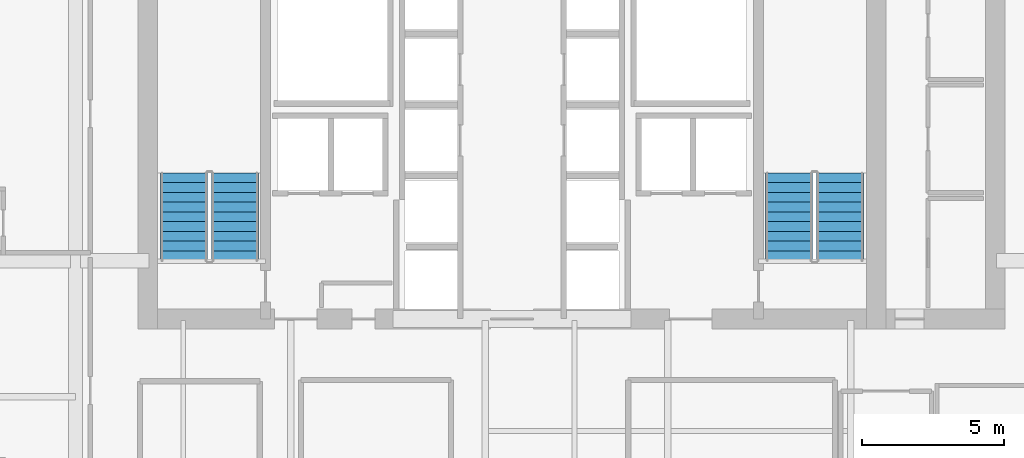
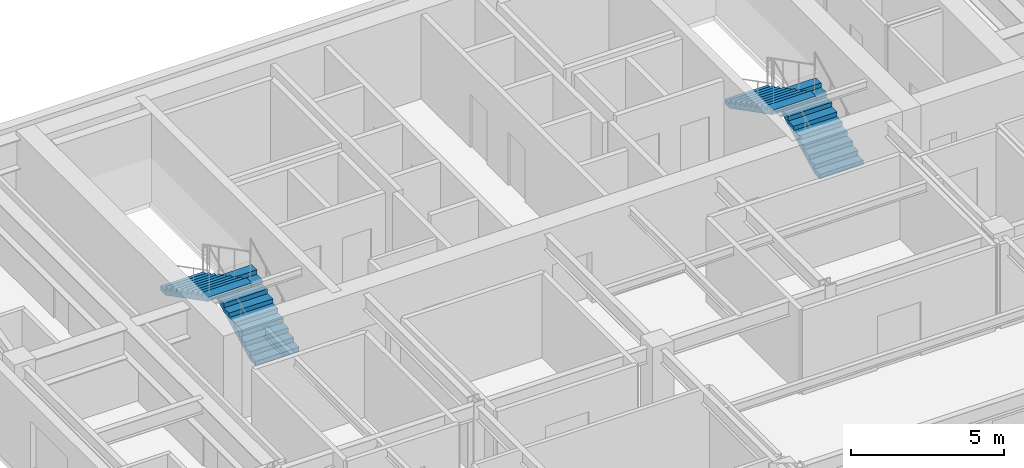
# One storey, part 14 of 15: 4 stair flights, 2 elements without a shape of their own.
"""IFC4 building model written with IfcOpenShell, lengths in metres."""

from ifc_helpers import new_model, si_unit, direction, frame, origin, place, context, subcontext, project, spatial, polyline, outline, extrude, material, type_object, element, aggregate, save


model = new_model("IFC4")

# Units and contexts
model_context = context("Model", 3, precision=1e-05, world=origin(), true_north=direction((0.0, 1.0)))
body_context = subcontext(model_context, "Body", "Model", "MODEL_VIEW")
ifc_project = project(units=[si_unit("LENGTHUNIT", "METRE"), si_unit("AREAUNIT", "SQUARE_METRE"), si_unit("VOLUMEUNIT", "CUBIC_METRE"), si_unit("PLANEANGLEUNIT", "RADIAN"), si_unit("MASSUNIT", "GRAM", prefix="KILO")], contexts=[model_context])

# Site, building, storey
site_placement = place(None, origin())
site = spatial("IfcSite", under=ifc_project, at=site_placement, CompositionType="ELEMENT")
building_placement = place(site_placement, origin())
building = spatial("IfcBuilding", under=site, at=building_placement, Name="Tolvann Quenvar Hotel", CompositionType="ELEMENT")
storey_placement = place(building_placement, frame((0.0, 0.0, 164.800048828125)))
storey = spatial("IfcBuildingStorey", under=building, at=storey_placement, Name="L43", CompositionType="ELEMENT", Elevation=164.800048828125)

# Stair, stair flights
ifc_material = material(Name="Concrete N40 (40 MPa)", Category="concrete")
stair_type = type_object("IfcStairType", Name="STAIR", PredefinedType="HALF_TURN_STAIR", material=ifc_material)
stair_1_placement = place(storey_placement, origin())
stair_1 = element("IfcStair", 1, at=stair_1_placement, inside=storey, type_object=stair_type, Name="L43 ST-C1", PredefinedType="HALF_TURN_STAIR")
stair_flight_type = type_object("IfcStairFlightType", Name="STAIR_FLIGHT", PredefinedType="STRAIGHT", material=ifc_material)
stair_flight_1_placement = place(storey_placement, frame((13.22509765625, 34.0, 0.0), z_axis=(0.0, 0.0, 1.0), x_axis=(0.0, 1.0, 0.0)))
stair_flight_1 = element("IfcStairFlight", 2, at=stair_flight_1_placement, type_object=stair_flight_type, Name="ST-C1 flight 1", NumberOfRisers=10, NumberOfTreads=9, PredefinedType="STRAIGHT", RiserHeight=0.1775, TreadLength=0.345, context=body_context, shape_type="SweptSolid", body=[
    extrude(outline(polyline([(0.0, 0.0), (0.0, 0.177490234375), (0.344970703125, 0.177490234375), (0.344970703125, 0.35498046875), (0.68994140625, 0.35498046875), (0.68994140625, 0.532470703125), (1.034912109375, 0.532470703125), (1.034912109375, 0.7099609375), (1.3798828125, 0.7099609375), (1.3798828125, 0.887451171875), (1.72509765625, 0.887451171875), (1.72509765625, 1.06494140625), (2.070068359375, 1.06494140625), (2.070068359375, 1.242431640625), (2.4150390625, 1.242431640625), (2.4150390625, 1.419921875), (2.760009765625, 1.419921875), (2.760009765625, 1.597412109375), (3.10498046875, 1.597412109375), (3.10498046875, 1.77490234375), (3.10498046875, 1.428955078125), (0.32763671875, 0.0), (0.0, 0.0)])), frame((0.0, 0.824951171875, 0.0), z_axis=(0.0, -1.0, 0.0), x_axis=(1.0, 0.0, 0.0)), (0.0, 0.0, 1.0), 1.64990234375),
])
stair_flight_2_placement = place(storey_placement, frame((11.425048828125, 37.10498046875, 1.77490234375), z_axis=(0.0, 0.0, 1.0), x_axis=(0.0, -1.0, 0.0)))
stair_flight_2 = element("IfcStairFlight", 3, at=stair_flight_2_placement, type_object=stair_flight_type, Name="ST-C1 flight 2", NumberOfRisers=10, NumberOfTreads=9, PredefinedType="STRAIGHT", RiserHeight=0.1775, TreadLength=0.345, context=body_context, shape_type="SweptSolid", body=[
    extrude(outline(polyline([(0.0, 0.0), (0.0, 0.177490234375), (0.344970703125, 0.177490234375), (0.344970703125, 0.35498046875), (0.68994140625, 0.35498046875), (0.68994140625, 0.532470703125), (1.034912109375, 0.532470703125), (1.034912109375, 0.7099609375), (1.3798828125, 0.7099609375), (1.3798828125, 0.887451171875), (1.72509765625, 0.887451171875), (1.72509765625, 1.06494140625), (2.070068359375, 1.06494140625), (2.070068359375, 1.242431640625), (2.4150390625, 1.242431640625), (2.4150390625, 1.419921875), (2.760009765625, 1.419921875), (2.760009765625, 1.597412109375), (3.10498046875, 1.597412109375), (3.10498046875, 1.77490234375), (3.10498046875, 1.428955078125), (0.32763671875, 0.0), (0.0, 0.0)])), frame((0.0, 0.824951171875, 0.0), z_axis=(0.0, -1.0, 0.0), x_axis=(1.0, 0.0, 0.0)), (0.0, 0.0, 1.0), 1.64990234375),
])
aggregate(stair_1, [stair_flight_1, stair_flight_2])

stair_2_placement = place(storey_placement, origin())
stair_2 = element("IfcStair", 4, at=stair_2_placement, inside=storey, type_object=stair_type, Name="L43 ST-C2", PredefinedType="HALF_TURN_STAIR")
stair_flight_3_placement = place(storey_placement, frame((34.574951171875, 34.0, 0.0), z_axis=(0.0, 0.0, 1.0), x_axis=(0.0, 1.0, 0.0)))
stair_flight_3 = element("IfcStairFlight", 5, at=stair_flight_3_placement, type_object=stair_flight_type, Name="ST-C2 flight 1", NumberOfRisers=10, NumberOfTreads=9, PredefinedType="STRAIGHT", RiserHeight=0.1775, TreadLength=0.345, context=body_context, shape_type="SweptSolid", body=[
    extrude(outline(polyline([(0.0, 0.0), (0.0, 0.177490234375), (0.344970703125, 0.177490234375), (0.344970703125, 0.35498046875), (0.68994140625, 0.35498046875), (0.68994140625, 0.532470703125), (1.034912109375, 0.532470703125), (1.034912109375, 0.7099609375), (1.3798828125, 0.7099609375), (1.3798828125, 0.887451171875), (1.72509765625, 0.887451171875), (1.72509765625, 1.06494140625), (2.070068359375, 1.06494140625), (2.070068359375, 1.242431640625), (2.4150390625, 1.242431640625), (2.4150390625, 1.419921875), (2.760009765625, 1.419921875), (2.760009765625, 1.597412109375), (3.10498046875, 1.597412109375), (3.10498046875, 1.77490234375), (3.10498046875, 1.428955078125), (0.32763671875, 0.0), (0.0, 0.0)])), frame((0.0, 0.824951171875, 0.0), z_axis=(0.0, -1.0, 0.0), x_axis=(1.0, 0.0, 0.0)), (0.0, 0.0, 1.0), 1.64990234375),
])
stair_flight_4_placement = place(storey_placement, frame((32.77490234375, 37.10498046875, 1.77490234375), z_axis=(0.0, 0.0, 1.0), x_axis=(0.0, -1.0, 0.0)))
stair_flight_4 = element("IfcStairFlight", 6, at=stair_flight_4_placement, type_object=stair_flight_type, Name="ST-C2 flight 2", NumberOfRisers=10, NumberOfTreads=9, PredefinedType="STRAIGHT", RiserHeight=0.1775, TreadLength=0.345, context=body_context, shape_type="SweptSolid", body=[
    extrude(outline(polyline([(0.0, 0.0), (0.0, 0.177490234375), (0.344970703125, 0.177490234375), (0.344970703125, 0.35498046875), (0.68994140625, 0.35498046875), (0.68994140625, 0.532470703125), (1.034912109375, 0.532470703125), (1.034912109375, 0.7099609375), (1.3798828125, 0.7099609375), (1.3798828125, 0.887451171875), (1.72509765625, 0.887451171875), (1.72509765625, 1.06494140625), (2.070068359375, 1.06494140625), (2.070068359375, 1.242431640625), (2.4150390625, 1.242431640625), (2.4150390625, 1.419921875), (2.760009765625, 1.419921875), (2.760009765625, 1.597412109375), (3.10498046875, 1.597412109375), (3.10498046875, 1.77490234375), (3.10498046875, 1.428955078125), (0.32763671875, 0.0), (0.0, 0.0)])), frame((0.0, 0.824951171875, 0.0), z_axis=(0.0, -1.0, 0.0), x_axis=(1.0, 0.0, 0.0)), (0.0, 0.0, 1.0), 1.64990234375),
])
aggregate(stair_2, [stair_flight_3, stair_flight_4])

save(model, "model.ifc")
